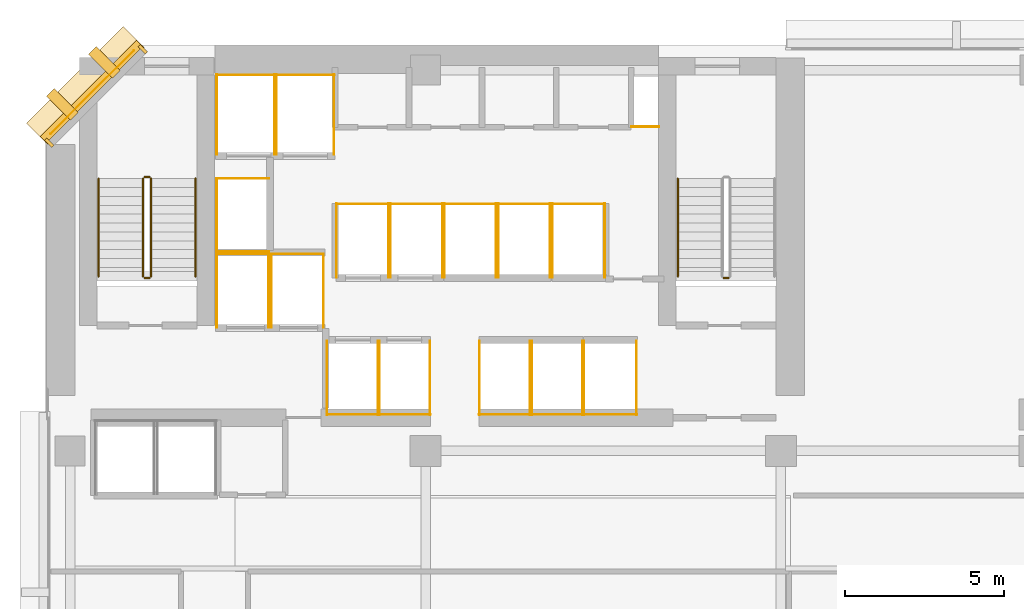
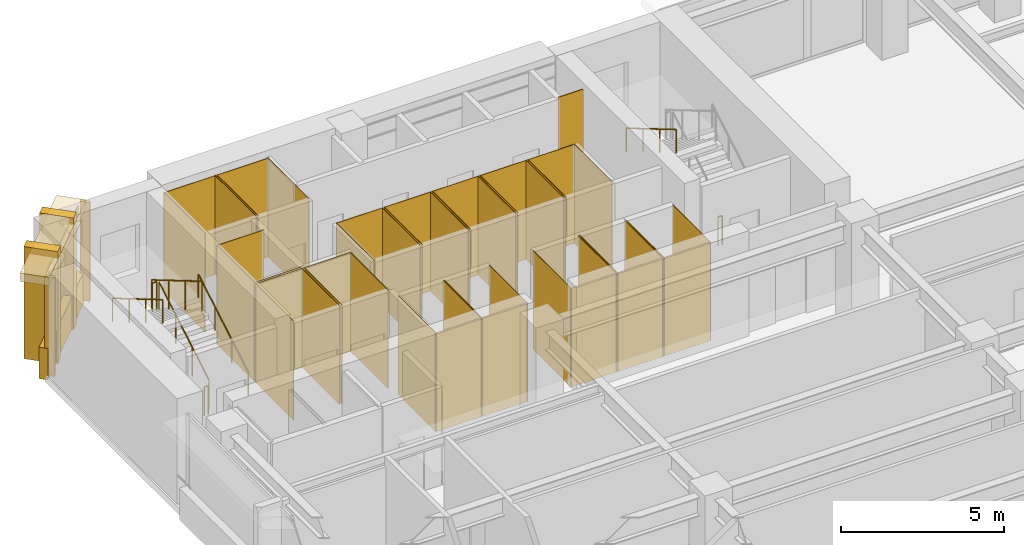
# One storey, part 11 of 13: 53 coverings, 8 railings.
"""IFC4 building model written with IfcOpenShell, lengths in metres."""

from ifc_helpers import new_model, si_unit, direction, frame, origin, origin_2d, place, context, subcontext, project, spatial, polyline, rectangle, circle, outline, extrude, material, layer, layer_set, type_object, element, save


model = new_model("IFC4")

# Units and contexts
model_context = context("Model", 3, precision=1e-05, world=origin(), true_north=direction((0.0, 1.0)))
body_context = subcontext(model_context, "Body", "Model", "MODEL_VIEW")
ifc_project = project(units=[si_unit("LENGTHUNIT", "METRE"), si_unit("AREAUNIT", "SQUARE_METRE"), si_unit("VOLUMEUNIT", "CUBIC_METRE"), si_unit("PLANEANGLEUNIT", "RADIAN"), si_unit("MASSUNIT", "GRAM", prefix="KILO")], contexts=[model_context])

# Site, building, storey
site_placement = place(None, origin())
site = spatial("IfcSite", under=ifc_project, at=site_placement, CompositionType="ELEMENT")
building_placement = place(site_placement, origin())
building = spatial("IfcBuilding", under=site, at=building_placement, Name="Kefirva Bronze Tower", CompositionType="ELEMENT")
storey_placement = place(building_placement, frame((0.0, 0.0, 81.840087890625)))
storey = spatial("IfcBuildingStorey", under=building, at=storey_placement, Name="L19", CompositionType="ELEMENT", Elevation=81.840087890625)

# Coverings
ifc_material_1 = material(Name="Bronze anodised aluminium", Category="aluminium")
ifc_layer_1 = layer(ifc_material_1, 0.02001953125, Name="Bronze anodised aluminium")
ifc_layer_set_1 = layer_set([ifc_layer_1], Name="Bronze anodised aluminium")
covering_type_1 = type_object("IfcCoveringType", Name="Anodised Bronze Spandrel Cladding 20mm", PredefinedType="CLADDING", material=ifc_layer_set_1)
covering_1_placement = place(storey_placement, frame((1.492919921875, 44.507080078125, 3.2900390625), z_axis=(0.0, 0.0, 1.0), x_axis=(-0.707106781187, -0.707106781187, 0.0)))
element("IfcCovering", 1, at=covering_1_placement, inside=storey, type_object=covering_type_1, Name="L19 Bronze Spandrel Cladding 6", PredefinedType="CLADDING", context=body_context, shape_type="SweptSolid", body=[
    extrude(rectangle(XDim=3.719482421875, YDim=0.02001953125, at=origin_2d()), origin(), (0.0, 0.0, 1.0), 0.39990234375),
])
for number, where, z_axis, x_axis, name in (
    (2, (3.08837890625, 45.862060546875, 0.0), (0.0, 0.0, 1.0), (-0.707106781187, -0.707106781187, 0.0), "L19 Facade Joint Closure Panel 6S"),
    (3, (0.137939453125, 42.91162109375, 0.0), (0.0, 0.0, 1.0), (-0.707106781187, -0.707106781187, 0.0), "L19 Facade Joint Closure Panel 6E"),
):
    element("IfcCovering", number, at=place(storey_placement, frame(where, z_axis=z_axis, x_axis=x_axis)), inside=storey, type_object=covering_type_1, Name=name, PredefinedType="CLADDING", context=body_context, shape_type="SweptSolid", body=[
        extrude(rectangle(XDim=0.10009765625, YDim=0.320068359375, at=origin_2d()), origin(), (0.0, 0.0, 1.0), 3.7099609375),
    ])
covering_2_placement = place(storey_placement, frame((1.4716796875, 44.5283203125, -0.16015625), z_axis=(0.0, 0.0, 1.0), x_axis=(-0.707106781187, -0.707106781187, 0.0)))
element("IfcCovering", 4, at=covering_2_placement, inside=storey, type_object=covering_type_1, Name="L19 Streamline Horizontal Spandrel Band 9", PredefinedType="CLADDING", context=body_context, shape_type="SweptSolid", body=[
    extrude(rectangle(XDim=4.28271484375, YDim=0.280029296875, at=origin_2d()), origin(), (0.0, 0.0, 1.0), 1.179931640625),
])
covering_3_placement = place(storey_placement, origin())
element("IfcCovering", 5, at=covering_3_placement, inside=storey, type_object=covering_type_1, Name="L19 Lift FF1 Hoistway Liner N", PredefinedType="CLADDING", context=body_context, shape_type="SweptSolid", body=[
    extrude(outline(polyline([(5.39990234375, 39.389892578125), (7.080078125, 39.389892578125), (7.080078125, 39.409912109375), (5.39990234375, 39.409912109375), (5.39990234375, 39.389892578125)])), origin(), (0.0, 0.0, 1.0), 3.7099609375),
])
covering_4_placement = place(storey_placement, origin())
element("IfcCovering", 6, at=covering_4_placement, inside=storey, type_object=covering_type_1, Name="L19 Lift FF1 Hoistway Liner W", PredefinedType="CLADDING", context=body_context, shape_type="SweptSolid", body=[
    extrude(outline(polyline([(5.409912109375, 37.080078125), (5.429931640625, 37.080078125), (5.429931640625, 39.419921875), (5.409912109375, 39.419921875), (5.409912109375, 37.080078125)])), origin(), (0.0, 0.0, 1.0), 3.7099609375),
])
covering_5_placement = place(storey_placement, origin())
element("IfcCovering", 7, at=covering_5_placement, inside=storey, type_object=covering_type_1, Name="L19 Lift FF1 Hoistway Liner E", PredefinedType="CLADDING", context=body_context, shape_type="SweptSolid", body=[
    extrude(outline(polyline([(7.050048828125, 37.080078125), (7.070068359375, 37.080078125), (7.070068359375, 39.419921875), (7.050048828125, 39.419921875), (7.050048828125, 37.080078125)])), origin(), (0.0, 0.0, 1.0), 3.7099609375),
])
covering_6_placement = place(storey_placement, origin())
element("IfcCovering", 8, at=covering_6_placement, inside=storey, type_object=covering_type_1, Name="L19 Lift FF2 Hoistway Liner N", PredefinedType="CLADDING", context=body_context, shape_type="SweptSolid", body=[
    extrude(outline(polyline([(7.1201171875, 39.389892578125), (8.800048828125, 39.389892578125), (8.800048828125, 39.409912109375), (7.1201171875, 39.409912109375), (7.1201171875, 39.389892578125)])), origin(), (0.0, 0.0, 1.0), 3.7099609375),
])
covering_7_placement = place(storey_placement, origin())
element("IfcCovering", 9, at=covering_7_placement, inside=storey, type_object=covering_type_1, Name="L19 Lift FF2 Hoistway Liner W", PredefinedType="CLADDING", context=body_context, shape_type="SweptSolid", body=[
    extrude(outline(polyline([(7.1298828125, 37.080078125), (7.14990234375, 37.080078125), (7.14990234375, 39.419921875), (7.1298828125, 39.419921875), (7.1298828125, 37.080078125)])), origin(), (0.0, 0.0, 1.0), 3.7099609375),
])
covering_8_placement = place(storey_placement, origin())
element("IfcCovering", 10, at=covering_8_placement, inside=storey, type_object=covering_type_1, Name="L19 Lift FF2 Hoistway Liner E", PredefinedType="CLADDING", context=body_context, shape_type="SweptSolid", body=[
    extrude(outline(polyline([(8.77001953125, 37.080078125), (8.7900390625, 37.080078125), (8.7900390625, 39.419921875), (8.77001953125, 39.419921875), (8.77001953125, 37.080078125)])), origin(), (0.0, 0.0, 1.0), 3.7099609375),
])
covering_9_placement = place(storey_placement, origin())
element("IfcCovering", 11, at=covering_9_placement, inside=storey, type_object=covering_type_1, Name="L19 Lift SV1 Hoistway Liner N", PredefinedType="CLADDING", context=body_context, shape_type="SweptSolid", body=[
    extrude(outline(polyline([(5.39990234375, 45.0400390625), (7.260009765625, 45.0400390625), (7.260009765625, 45.06005859375), (5.39990234375, 45.06005859375), (5.39990234375, 45.0400390625)])), origin(), (0.0, 0.0, 1.0), 3.7099609375),
])
covering_10_placement = place(storey_placement, origin())
element("IfcCovering", 12, at=covering_10_placement, inside=storey, type_object=covering_type_1, Name="L19 Lift SV1 Hoistway Liner W", PredefinedType="CLADDING", context=body_context, shape_type="SweptSolid", body=[
    extrude(outline(polyline([(5.409912109375, 42.530029296875), (5.429931640625, 42.530029296875), (5.429931640625, 45.070068359375), (5.409912109375, 45.070068359375), (5.409912109375, 42.530029296875)])), origin(), (0.0, 0.0, 1.0), 3.7099609375),
])
covering_11_placement = place(storey_placement, origin())
element("IfcCovering", 13, at=covering_11_placement, inside=storey, type_object=covering_type_1, Name="L19 Lift SV1 Hoistway Liner E", PredefinedType="CLADDING", context=body_context, shape_type="SweptSolid", body=[
    extrude(outline(polyline([(7.22998046875, 42.530029296875), (7.25, 42.530029296875), (7.25, 45.070068359375), (7.22998046875, 45.070068359375), (7.22998046875, 42.530029296875)])), origin(), (0.0, 0.0, 1.0), 3.7099609375),
])
covering_12_placement = place(storey_placement, origin())
element("IfcCovering", 14, at=covering_12_placement, inside=storey, type_object=covering_type_1, Name="L19 Lift SV2 Hoistway Liner N", PredefinedType="CLADDING", context=body_context, shape_type="SweptSolid", body=[
    extrude(outline(polyline([(7.280029296875, 45.0400390625), (9.139892578125, 45.0400390625), (9.139892578125, 45.06005859375), (7.280029296875, 45.06005859375), (7.280029296875, 45.0400390625)])), origin(), (0.0, 0.0, 1.0), 3.7099609375),
])
covering_13_placement = place(storey_placement, origin())
element("IfcCovering", 15, at=covering_13_placement, inside=storey, type_object=covering_type_1, Name="L19 Lift SV2 Hoistway Liner W", PredefinedType="CLADDING", context=body_context, shape_type="SweptSolid", body=[
    extrude(outline(polyline([(7.2900390625, 42.530029296875), (7.31005859375, 42.530029296875), (7.31005859375, 45.070068359375), (7.2900390625, 45.070068359375), (7.2900390625, 42.530029296875)])), origin(), (0.0, 0.0, 1.0), 3.7099609375),
])
covering_14_placement = place(storey_placement, origin())
element("IfcCovering", 16, at=covering_14_placement, inside=storey, type_object=covering_type_1, Name="L19 Lift SV2 Hoistway Liner E", PredefinedType="CLADDING", context=body_context, shape_type="SweptSolid", body=[
    extrude(outline(polyline([(9.110107421875, 42.530029296875), (9.1298828125, 42.530029296875), (9.1298828125, 45.070068359375), (9.110107421875, 45.070068359375), (9.110107421875, 42.530029296875)])), origin(), (0.0, 0.0, 1.0), 3.7099609375),
])
covering_15_placement = place(storey_placement, origin())
element("IfcCovering", 17, at=covering_15_placement, inside=storey, type_object=covering_type_1, Name="L19 Lift LP1 Hoistway Liner S", PredefinedType="CLADDING", context=body_context, shape_type="SweptSolid", body=[
    extrude(outline(polyline([(8.8798828125, 34.340087890625), (10.52001953125, 34.340087890625), (10.52001953125, 34.360107421875), (8.8798828125, 34.360107421875), (8.8798828125, 34.340087890625)])), origin(), (0.0, 0.0, 1.0), 3.7099609375),
])
covering_16_placement = place(storey_placement, origin())
element("IfcCovering", 18, at=covering_16_placement, inside=storey, type_object=covering_type_1, Name="L19 Lift LP1 Hoistway Liner W", PredefinedType="CLADDING", context=body_context, shape_type="SweptSolid", body=[
    extrude(outline(polyline([(8.889892578125, 34.330078125), (8.909912109375, 34.330078125), (8.909912109375, 36.669921875), (8.889892578125, 36.669921875), (8.889892578125, 34.330078125)])), origin(), (0.0, 0.0, 1.0), 3.7099609375),
])
covering_17_placement = place(storey_placement, origin())
element("IfcCovering", 19, at=covering_17_placement, inside=storey, type_object=covering_type_1, Name="L19 Lift LP1 Hoistway Liner E", PredefinedType="CLADDING", context=body_context, shape_type="SweptSolid", body=[
    extrude(outline(polyline([(10.489990234375, 34.330078125), (10.510009765625, 34.330078125), (10.510009765625, 36.669921875), (10.489990234375, 36.669921875), (10.489990234375, 34.330078125)])), origin(), (0.0, 0.0, 1.0), 3.7099609375),
])
covering_18_placement = place(storey_placement, origin())
element("IfcCovering", 20, at=covering_18_placement, inside=storey, type_object=covering_type_1, Name="L19 Lift LP2 Hoistway Liner S", PredefinedType="CLADDING", context=body_context, shape_type="SweptSolid", body=[
    extrude(outline(polyline([(10.52001953125, 34.340087890625), (12.159912109375, 34.340087890625), (12.159912109375, 34.360107421875), (10.52001953125, 34.360107421875), (10.52001953125, 34.340087890625)])), origin(), (0.0, 0.0, 1.0), 3.7099609375),
])
covering_19_placement = place(storey_placement, origin())
element("IfcCovering", 21, at=covering_19_placement, inside=storey, type_object=covering_type_1, Name="L19 Lift LP2 Hoistway Liner W", PredefinedType="CLADDING", context=body_context, shape_type="SweptSolid", body=[
    extrude(outline(polyline([(10.530029296875, 34.330078125), (10.550048828125, 34.330078125), (10.550048828125, 36.669921875), (10.530029296875, 36.669921875), (10.530029296875, 34.330078125)])), origin(), (0.0, 0.0, 1.0), 3.7099609375),
])
covering_20_placement = place(storey_placement, origin())
element("IfcCovering", 22, at=covering_20_placement, inside=storey, type_object=covering_type_1, Name="L19 Lift LP2 Hoistway Liner E", PredefinedType="CLADDING", context=body_context, shape_type="SweptSolid", body=[
    extrude(outline(polyline([(12.1298828125, 34.330078125), (12.14990234375, 34.330078125), (12.14990234375, 36.669921875), (12.1298828125, 36.669921875), (12.1298828125, 34.330078125)])), origin(), (0.0, 0.0, 1.0), 3.7099609375),
])
covering_21_placement = place(storey_placement, origin())
element("IfcCovering", 23, at=covering_21_placement, inside=storey, type_object=covering_type_1, Name="L19 Lift LP3 Hoistway Liner N", PredefinedType="CLADDING", context=body_context, shape_type="SweptSolid", body=[
    extrude(outline(polyline([(9.179931640625, 40.969970703125), (10.85009765625, 40.969970703125), (10.85009765625, 40.989990234375), (9.179931640625, 40.989990234375), (9.179931640625, 40.969970703125)])), origin(), (0.0, 0.0, 1.0), 3.7099609375),
])
covering_22_placement = place(storey_placement, origin())
element("IfcCovering", 24, at=covering_22_placement, inside=storey, type_object=covering_type_1, Name="L19 Lift LP3 Hoistway Liner W", PredefinedType="CLADDING", context=body_context, shape_type="SweptSolid", body=[
    extrude(outline(polyline([(9.18994140625, 38.659912109375), (9.2099609375, 38.659912109375), (9.2099609375, 41.0), (9.18994140625, 41.0), (9.18994140625, 38.659912109375)])), origin(), (0.0, 0.0, 1.0), 3.7099609375),
])
covering_23_placement = place(storey_placement, origin())
element("IfcCovering", 25, at=covering_23_placement, inside=storey, type_object=covering_type_1, Name="L19 Lift LP3 Hoistway Liner E", PredefinedType="CLADDING", context=body_context, shape_type="SweptSolid", body=[
    extrude(outline(polyline([(10.820068359375, 38.659912109375), (10.840087890625, 38.659912109375), (10.840087890625, 41.0), (10.820068359375, 41.0), (10.820068359375, 38.659912109375)])), origin(), (0.0, 0.0, 1.0), 3.7099609375),
])
covering_24_placement = place(storey_placement, origin())
element("IfcCovering", 26, at=covering_24_placement, inside=storey, type_object=covering_type_1, Name="L19 Lift LP4 Hoistway Liner N", PredefinedType="CLADDING", context=body_context, shape_type="SweptSolid", body=[
    extrude(outline(polyline([(10.8798828125, 40.969970703125), (12.550048828125, 40.969970703125), (12.550048828125, 40.989990234375), (10.8798828125, 40.989990234375), (10.8798828125, 40.969970703125)])), origin(), (0.0, 0.0, 1.0), 3.7099609375),
])
covering_25_placement = place(storey_placement, origin())
element("IfcCovering", 27, at=covering_25_placement, inside=storey, type_object=covering_type_1, Name="L19 Lift LP4 Hoistway Liner W", PredefinedType="CLADDING", context=body_context, shape_type="SweptSolid", body=[
    extrude(outline(polyline([(10.889892578125, 38.659912109375), (10.909912109375, 38.659912109375), (10.909912109375, 41.0), (10.889892578125, 41.0), (10.889892578125, 38.659912109375)])), origin(), (0.0, 0.0, 1.0), 3.7099609375),
])
covering_26_placement = place(storey_placement, origin())
element("IfcCovering", 28, at=covering_26_placement, inside=storey, type_object=covering_type_1, Name="L19 Lift LP4 Hoistway Liner E", PredefinedType="CLADDING", context=body_context, shape_type="SweptSolid", body=[
    extrude(outline(polyline([(12.52001953125, 38.659912109375), (12.5400390625, 38.659912109375), (12.5400390625, 41.0), (12.52001953125, 41.0), (12.52001953125, 38.659912109375)])), origin(), (0.0, 0.0, 1.0), 3.7099609375),
])
covering_27_placement = place(storey_placement, origin())
element("IfcCovering", 29, at=covering_27_placement, inside=storey, type_object=covering_type_1, Name="L19 Lift MP1 Hoistway Liner S", PredefinedType="CLADDING", context=body_context, shape_type="SweptSolid", body=[
    extrude(outline(polyline([(13.679931640625, 34.340087890625), (15.320068359375, 34.340087890625), (15.320068359375, 34.360107421875), (13.679931640625, 34.360107421875), (13.679931640625, 34.340087890625)])), origin(), (0.0, 0.0, 1.0), 3.7099609375),
])
covering_28_placement = place(storey_placement, origin())
element("IfcCovering", 30, at=covering_28_placement, inside=storey, type_object=covering_type_1, Name="L19 Lift MP1 Hoistway Liner W", PredefinedType="CLADDING", context=body_context, shape_type="SweptSolid", body=[
    extrude(outline(polyline([(13.68994140625, 34.330078125), (13.7099609375, 34.330078125), (13.7099609375, 36.669921875), (13.68994140625, 36.669921875), (13.68994140625, 34.330078125)])), origin(), (0.0, 0.0, 1.0), 3.7099609375),
])
covering_29_placement = place(storey_placement, origin())
element("IfcCovering", 31, at=covering_29_placement, inside=storey, type_object=covering_type_1, Name="L19 Lift MP1 Hoistway Liner E", PredefinedType="CLADDING", context=body_context, shape_type="SweptSolid", body=[
    extrude(outline(polyline([(15.2900390625, 34.330078125), (15.31005859375, 34.330078125), (15.31005859375, 36.669921875), (15.2900390625, 36.669921875), (15.2900390625, 34.330078125)])), origin(), (0.0, 0.0, 1.0), 3.7099609375),
])
covering_30_placement = place(storey_placement, origin())
element("IfcCovering", 32, at=covering_30_placement, inside=storey, type_object=covering_type_1, Name="L19 Lift MP2 Hoistway Liner S", PredefinedType="CLADDING", context=body_context, shape_type="SweptSolid", body=[
    extrude(outline(polyline([(15.330078125, 34.340087890625), (16.969970703125, 34.340087890625), (16.969970703125, 34.360107421875), (15.330078125, 34.360107421875), (15.330078125, 34.340087890625)])), origin(), (0.0, 0.0, 1.0), 3.7099609375),
])
covering_31_placement = place(storey_placement, origin())
element("IfcCovering", 33, at=covering_31_placement, inside=storey, type_object=covering_type_1, Name="L19 Lift MP2 Hoistway Liner W", PredefinedType="CLADDING", context=body_context, shape_type="SweptSolid", body=[
    extrude(outline(polyline([(15.340087890625, 34.330078125), (15.360107421875, 34.330078125), (15.360107421875, 36.669921875), (15.340087890625, 36.669921875), (15.340087890625, 34.330078125)])), origin(), (0.0, 0.0, 1.0), 3.7099609375),
])
covering_32_placement = place(storey_placement, origin())
element("IfcCovering", 34, at=covering_32_placement, inside=storey, type_object=covering_type_1, Name="L19 Lift MP2 Hoistway Liner E", PredefinedType="CLADDING", context=body_context, shape_type="SweptSolid", body=[
    extrude(outline(polyline([(16.93994140625, 34.330078125), (16.9599609375, 34.330078125), (16.9599609375, 36.669921875), (16.93994140625, 36.669921875), (16.93994140625, 34.330078125)])), origin(), (0.0, 0.0, 1.0), 3.7099609375),
])
covering_33_placement = place(storey_placement, origin())
element("IfcCovering", 35, at=covering_33_placement, inside=storey, type_object=covering_type_1, Name="L19 Lift MP3 Hoistway Liner N", PredefinedType="CLADDING", context=body_context, shape_type="SweptSolid", body=[
    extrude(outline(polyline([(12.580078125, 40.969970703125), (14.25, 40.969970703125), (14.25, 40.989990234375), (12.580078125, 40.989990234375), (12.580078125, 40.969970703125)])), origin(), (0.0, 0.0, 1.0), 3.7099609375),
])
covering_34_placement = place(storey_placement, origin())
element("IfcCovering", 36, at=covering_34_placement, inside=storey, type_object=covering_type_1, Name="L19 Lift MP3 Hoistway Liner W", PredefinedType="CLADDING", context=body_context, shape_type="SweptSolid", body=[
    extrude(outline(polyline([(12.590087890625, 38.659912109375), (12.610107421875, 38.659912109375), (12.610107421875, 41.0), (12.590087890625, 41.0), (12.590087890625, 38.659912109375)])), origin(), (0.0, 0.0, 1.0), 3.7099609375),
])
covering_35_placement = place(storey_placement, origin())
element("IfcCovering", 37, at=covering_35_placement, inside=storey, type_object=covering_type_1, Name="L19 Lift MP3 Hoistway Liner E", PredefinedType="CLADDING", context=body_context, shape_type="SweptSolid", body=[
    extrude(outline(polyline([(14.219970703125, 38.659912109375), (14.239990234375, 38.659912109375), (14.239990234375, 41.0), (14.219970703125, 41.0), (14.219970703125, 38.659912109375)])), origin(), (0.0, 0.0, 1.0), 3.7099609375),
])
covering_36_placement = place(storey_placement, origin())
element("IfcCovering", 38, at=covering_36_placement, inside=storey, type_object=covering_type_1, Name="L19 Lift MP4 Hoistway Liner N", PredefinedType="CLADDING", context=body_context, shape_type="SweptSolid", body=[
    extrude(outline(polyline([(14.280029296875, 40.969970703125), (15.949951171875, 40.969970703125), (15.949951171875, 40.989990234375), (14.280029296875, 40.989990234375), (14.280029296875, 40.969970703125)])), origin(), (0.0, 0.0, 1.0), 3.7099609375),
])
covering_37_placement = place(storey_placement, origin())
element("IfcCovering", 39, at=covering_37_placement, inside=storey, type_object=covering_type_1, Name="L19 Lift MP4 Hoistway Liner W", PredefinedType="CLADDING", context=body_context, shape_type="SweptSolid", body=[
    extrude(outline(polyline([(14.2900390625, 38.659912109375), (14.31005859375, 38.659912109375), (14.31005859375, 41.0), (14.2900390625, 41.0), (14.2900390625, 38.659912109375)])), origin(), (0.0, 0.0, 1.0), 3.7099609375),
])
covering_38_placement = place(storey_placement, origin())
element("IfcCovering", 40, at=covering_38_placement, inside=storey, type_object=covering_type_1, Name="L19 Lift MP4 Hoistway Liner E", PredefinedType="CLADDING", context=body_context, shape_type="SweptSolid", body=[
    extrude(outline(polyline([(15.919921875, 38.659912109375), (15.93994140625, 38.659912109375), (15.93994140625, 41.0), (15.919921875, 41.0), (15.919921875, 38.659912109375)])), origin(), (0.0, 0.0, 1.0), 3.7099609375),
])
covering_39_placement = place(storey_placement, origin())
element("IfcCovering", 41, at=covering_39_placement, inside=storey, type_object=covering_type_1, Name="L19 Lift HP1 Hoistway Liner S", PredefinedType="CLADDING", context=body_context, shape_type="SweptSolid", body=[
    extrude(outline(polyline([(16.97998046875, 34.340087890625), (18.669921875, 34.340087890625), (18.669921875, 34.360107421875), (16.97998046875, 34.360107421875), (16.97998046875, 34.340087890625)])), origin(), (0.0, 0.0, 1.0), 3.7099609375),
])
covering_40_placement = place(storey_placement, origin())
element("IfcCovering", 42, at=covering_40_placement, inside=storey, type_object=covering_type_1, Name="L19 Lift HP1 Hoistway Liner W", PredefinedType="CLADDING", context=body_context, shape_type="SweptSolid", body=[
    extrude(outline(polyline([(16.989990234375, 34.330078125), (17.010009765625, 34.330078125), (17.010009765625, 36.669921875), (16.989990234375, 36.669921875), (16.989990234375, 34.330078125)])), origin(), (0.0, 0.0, 1.0), 3.7099609375),
])
covering_41_placement = place(storey_placement, origin())
element("IfcCovering", 43, at=covering_41_placement, inside=storey, type_object=covering_type_1, Name="L19 Lift HP1 Hoistway Liner E", PredefinedType="CLADDING", context=body_context, shape_type="SweptSolid", body=[
    extrude(outline(polyline([(18.639892578125, 34.330078125), (18.659912109375, 34.330078125), (18.659912109375, 36.669921875), (18.639892578125, 36.669921875), (18.639892578125, 34.330078125)])), origin(), (0.0, 0.0, 1.0), 3.7099609375),
])
covering_42_placement = place(storey_placement, origin())
element("IfcCovering", 44, at=covering_42_placement, inside=storey, type_object=covering_type_1, Name="L19 Lift HP2 Hoistway Liner N", PredefinedType="CLADDING", context=body_context, shape_type="SweptSolid", body=[
    extrude(outline(polyline([(15.97998046875, 40.969970703125), (17.669921875, 40.969970703125), (17.669921875, 40.989990234375), (15.97998046875, 40.989990234375), (15.97998046875, 40.969970703125)])), origin(), (0.0, 0.0, 1.0), 3.7099609375),
])
covering_43_placement = place(storey_placement, origin())
element("IfcCovering", 45, at=covering_43_placement, inside=storey, type_object=covering_type_1, Name="L19 Lift HP2 Hoistway Liner W", PredefinedType="CLADDING", context=body_context, shape_type="SweptSolid", body=[
    extrude(outline(polyline([(15.989990234375, 38.659912109375), (16.010009765625, 38.659912109375), (16.010009765625, 41.0), (15.989990234375, 41.0), (15.989990234375, 38.659912109375)])), origin(), (0.0, 0.0, 1.0), 3.7099609375),
])
covering_44_placement = place(storey_placement, origin())
element("IfcCovering", 46, at=covering_44_placement, inside=storey, type_object=covering_type_1, Name="L19 Lift HP2 Hoistway Liner E", PredefinedType="CLADDING", context=body_context, shape_type="SweptSolid", body=[
    extrude(outline(polyline([(17.639892578125, 38.659912109375), (17.659912109375, 38.659912109375), (17.659912109375, 41.0), (17.639892578125, 41.0), (17.639892578125, 38.659912109375)])), origin(), (0.0, 0.0, 1.0), 3.7099609375),
])
covering_45_placement = place(storey_placement, origin())
element("IfcCovering", 47, at=covering_45_placement, inside=storey, type_object=covering_type_1, Name="L19 Lift HP3 Hoistway Liner N", PredefinedType="CLADDING", context=body_context, shape_type="SweptSolid", body=[
    extrude(outline(polyline([(5.39990234375, 41.77001953125), (7.080078125, 41.77001953125), (7.080078125, 41.7900390625), (5.39990234375, 41.7900390625), (5.39990234375, 41.77001953125)])), origin(), (0.0, 0.0, 1.0), 3.7099609375),
])
covering_46_placement = place(storey_placement, origin())
element("IfcCovering", 48, at=covering_46_placement, inside=storey, type_object=covering_type_1, Name="L19 Lift HP3 Hoistway Liner S", PredefinedType="CLADDING", context=body_context, shape_type="SweptSolid", body=[
    extrude(outline(polyline([(5.39990234375, 39.469970703125), (7.080078125, 39.469970703125), (7.080078125, 39.489990234375), (5.39990234375, 39.489990234375), (5.39990234375, 39.469970703125)])), origin(), (0.0, 0.0, 1.0), 3.7099609375),
])
covering_47_placement = place(storey_placement, origin())
element("IfcCovering", 49, at=covering_47_placement, inside=storey, type_object=covering_type_1, Name="L19 Lift HP3 Hoistway Liner W", PredefinedType="CLADDING", context=body_context, shape_type="SweptSolid", body=[
    extrude(outline(polyline([(5.409912109375, 39.4599609375), (5.429931640625, 39.4599609375), (5.429931640625, 41.800048828125), (5.409912109375, 41.800048828125), (5.409912109375, 39.4599609375)])), origin(), (0.0, 0.0, 1.0), 3.7099609375),
])
covering_48_placement = place(storey_placement, origin())
element("IfcCovering", 50, at=covering_48_placement, inside=storey, type_object=covering_type_1, Name="L19 Core MEP Riser Shaft Liner South", PredefinedType="CLADDING", context=body_context, shape_type="SweptSolid", body=[
    extrude(outline(polyline([(18.47998046875, 43.39990234375), (19.360107421875, 43.39990234375), (19.360107421875, 43.429931640625), (18.47998046875, 43.429931640625), (18.47998046875, 43.39990234375)])), origin(), (0.0, 0.0, 1.0), 3.7099609375),
])

# Railings
ifc_material_2 = material(Name="Stainless steel 316", Category="steel")
railing_type_1 = type_object("IfcRailingType", Name="Interior Stair Guardrail 1100mm", PredefinedType="GUARDRAIL", material=ifc_material_2)
railing_1_placement = place(storey_placement, frame((3.35009765625, 38.699951171875, 0.164794921875)))
element("IfcRailing", 51, at=railing_1_placement, inside=storey, type_object=railing_type_1, Name="L19 ST-1 stair guard 1", PredefinedType="GUARDRAIL", context=body_context, shape_type="SweptSolid", body=[
    extrude(circle(Radius=0.02392578125, at=origin_2d()), frame((0.0, 0.0, 1.076171875), z_axis=(0.0, 0.861521393093, 0.507721271215), x_axis=(-1.0, 0.0, 0.0)), (0.0, 0.0, 1.0), 3.5751953125),
    extrude(circle(Radius=0.02099609375, at=origin_2d()), origin(), (0.0, 0.0, 1.0), 1.052001953125),
    extrude(circle(Radius=0.02099609375, at=origin_2d()), frame((0.0, 1.026611328125, 0.60498046875)), (0.0, 0.0, 1.0), 1.052001953125),
    extrude(circle(Radius=0.02099609375, at=origin_2d()), frame((0.0, 2.053466796875, 1.210205078125)), (0.0, 0.0, 1.0), 1.052001953125),
    extrude(circle(Radius=0.02099609375, at=origin_2d()), frame((0.0, 3.080078125, 1.815185546875)), (0.0, 0.0, 1.0), 1.052001953125),
])
railing_2_placement = place(storey_placement, frame((3.300048828125, 41.830078125, 1.97998046875)))
element("IfcRailing", 52, at=railing_2_placement, inside=storey, type_object=railing_type_1, Name="L19 ST-1 stair guard 2", PredefinedType="GUARDRAIL", context=body_context, shape_type="SweptSolid", body=[
    extrude(circle(Radius=0.02392578125, at=origin_2d()), frame((0.0, 0.0, 1.076171875), z_axis=(-1.0, 0.0, 0.0), x_axis=(0.0, -1.0, 0.0)), (0.0, 0.0, 1.0), 0.150146484375),
    extrude(circle(Radius=0.02099609375, at=origin_2d()), origin(), (0.0, 0.0, 1.0), 1.052001953125),
    extrude(circle(Radius=0.02099609375, at=origin_2d()), frame((-0.150146484375, 0.0, 0.0)), (0.0, 0.0, 1.0), 1.052001953125),
])
railing_3_placement = place(storey_placement, frame((3.10009765625, 41.780029296875, 2.14501953125)))
element("IfcRailing", 53, at=railing_3_placement, inside=storey, type_object=railing_type_1, Name="L19 ST-1 stair guard 3", PredefinedType="GUARDRAIL", context=body_context, shape_type="SweptSolid", body=[
    extrude(circle(Radius=0.02392578125, at=origin_2d()), frame((0.0, 0.0, 1.076171875), z_axis=(0.0, -0.861551262678, 0.507670583921), x_axis=(1.0, 0.0, 0.0)), (0.0, 0.0, 1.0), 3.574951171875),
    extrude(circle(Radius=0.02099609375, at=origin_2d()), origin(), (0.0, 0.0, 1.0), 1.052001953125),
    extrude(circle(Radius=0.02099609375, at=origin_2d()), frame((0.0, -1.026611328125, 0.60498046875)), (0.0, 0.0, 1.0), 1.052001953125),
    extrude(circle(Radius=0.02099609375, at=origin_2d()), frame((0.0, -2.053466796875, 1.2099609375)), (0.0, 0.0, 1.0), 1.052001953125),
    extrude(circle(Radius=0.02099609375, at=origin_2d()), frame((0.0, -3.080078125, 1.81494140625)), (0.0, 0.0, 1.0), 1.052001953125),
])
for number, where, name in (
    (54, (3.300048828125, 38.64990234375, 0.0), "L19 ST-1 stair guard 4"),
    (55, (21.550048828125, 38.64990234375, 0.0), "L19 ST-2 stair guard 4"),
):
    element("IfcRailing", number, at=place(storey_placement, frame(where)), inside=storey, type_object=railing_type_1, Name=name, PredefinedType="GUARDRAIL", context=body_context, shape_type="SweptSolid", body=[
        extrude(circle(Radius=0.02392578125, at=origin_2d()), frame((0.0, 0.0, 1.076171875), z_axis=(-1.0, 0.0, 0.0), x_axis=(0.0, -1.0, 0.0)), (0.0, 0.0, 1.0), 0.150146484375),
        extrude(circle(Radius=0.02099609375, at=origin_2d()), origin(), (0.0, 0.0, 1.0), 1.052001953125),
        extrude(circle(Radius=0.02099609375, at=origin_2d()), frame((-0.150146484375, 0.0, 0.0)), (0.0, 0.0, 1.0), 1.052001953125),
    ])
railing_type_2 = type_object("IfcRailingType", Name="Stair Pitch Handrail 900mm", PredefinedType="HANDRAIL", material=ifc_material_2)
railing_4_placement = place(storey_placement, frame((4.75, 38.699951171875, 0.164794921875)))
element("IfcRailing", 56, at=railing_4_placement, inside=storey, type_object=railing_type_2, Name="L19 ST-1 stair handrail 1", PredefinedType="HANDRAIL", context=body_context, shape_type="SweptSolid", body=[
    extrude(circle(Radius=0.02392578125, at=origin_2d()), frame((0.0, 0.0, 0.8759765625), z_axis=(0.0, 0.861521393093, 0.507721271215), x_axis=(-1.0, 0.0, 0.0)), (0.0, 0.0, 1.0), 3.5751953125),
    extrude(circle(Radius=0.02099609375, at=origin_2d()), origin(), (0.0, 0.0, 1.0), 0.851806640625),
    extrude(circle(Radius=0.02099609375, at=origin_2d()), frame((0.0, 1.026611328125, 0.60498046875)), (0.0, 0.0, 1.0), 0.851806640625),
    extrude(circle(Radius=0.02099609375, at=origin_2d()), frame((0.0, 2.053466796875, 1.210205078125)), (0.0, 0.0, 1.0), 0.851806640625),
    extrude(circle(Radius=0.02099609375, at=origin_2d()), frame((0.0, 3.080078125, 1.815185546875)), (0.0, 0.0, 1.0), 0.851806640625),
])
for number, where, name in (
    (57, (1.699951171875, 41.780029296875, 2.14501953125), "L19 ST-1 stair handrail 2"),
    (58, (19.949951171875, 41.780029296875, 2.14501953125), "L19 ST-2 stair handrail 2"),
):
    element("IfcRailing", number, at=place(storey_placement, frame(where)), inside=storey, type_object=railing_type_2, Name=name, PredefinedType="HANDRAIL", context=body_context, shape_type="SweptSolid", body=[
        extrude(circle(Radius=0.02392578125, at=origin_2d()), frame((0.0, 0.0, 0.8759765625), z_axis=(0.0, -0.861551262678, 0.507670583921), x_axis=(1.0, 0.0, 0.0)), (0.0, 0.0, 1.0), 3.574951171875),
        extrude(circle(Radius=0.02099609375, at=origin_2d()), origin(), (0.0, 0.0, 1.0), 0.851806640625),
        extrude(circle(Radius=0.02099609375, at=origin_2d()), frame((0.0, -1.026611328125, 0.60498046875)), (0.0, 0.0, 1.0), 0.851806640625),
        extrude(circle(Radius=0.02099609375, at=origin_2d()), frame((0.0, -2.053466796875, 1.2099609375)), (0.0, 0.0, 1.0), 0.851806640625),
        extrude(circle(Radius=0.02099609375, at=origin_2d()), frame((0.0, -3.080078125, 1.81494140625)), (0.0, 0.0, 1.0), 0.851806640625),
    ])

# Coverings
ifc_layer_2 = layer(ifc_material_1, 0.179931640625, Name="Bronze anodised aluminium")
ifc_layer_set_2 = layer_set([ifc_layer_2], Name="Bronze anodised aluminium")
covering_type_2 = type_object("IfcCoveringType", Name="Streamline Bronze Sunshade Eyebrow Cladding 180mm", PredefinedType="CLADDING", material=ifc_layer_set_2)
covering_49_placement = place(storey_placement, frame((1.28076171875, 44.71923828125, 3.3896484375), z_axis=(0.0, 0.0, 1.0), x_axis=(-0.707106781187, -0.707106781187, 0.0)))
element("IfcCovering", 59, at=covering_49_placement, inside=storey, type_object=covering_type_2, Name="L19 Streamline Bronze Sunshade Eyebrow 9", PredefinedType="CLADDING", context=body_context, shape_type="SweptSolid", body=[
    extrude(rectangle(XDim=4.322509765625, YDim=0.93994140625, at=origin_2d()), origin(), (0.0, 0.0, 1.0), 0.320068359375),
])
ifc_layer_3 = layer(ifc_material_1, 0.260009765625, Name="Bronze anodised aluminium")
ifc_layer_set_3 = layer_set([ifc_layer_3], Name="Bronze anodised aluminium")
covering_type_3 = type_object("IfcCoveringType", Name="Unbroken Bronze Buttress Fin Cladding 260mm", PredefinedType="CLADDING", material=ifc_layer_set_3)
for number, where, z_axis, x_axis, name in (
    (60, (1.877197265625, 45.44287109375, -0.25), (0.0, 0.0, 1.0), (-0.707106781187, -0.707106781187, 0.0), "L19 Chamfered Corner Buttress Fin Cladding 23"),
    (61, (0.55712890625, 44.122802734375, -0.25), (0.0, 0.0, 1.0), (-0.707106781187, -0.707106781187, 0.0), "L19 Chamfered Corner Buttress Fin Cladding 24"),
):
    element("IfcCovering", number, at=place(storey_placement, frame(where, z_axis=z_axis, x_axis=x_axis)), inside=storey, type_object=covering_type_3, Name=name, PredefinedType="CLADDING", context=body_context, shape_type="SweptSolid", body=[
        extrude(rectangle(XDim=0.340087890625, YDim=1.080078125, at=origin_2d()), origin(), (0.0, 0.0, 1.0), 4.2099609375),
    ])

save(model, "model.ifc")
